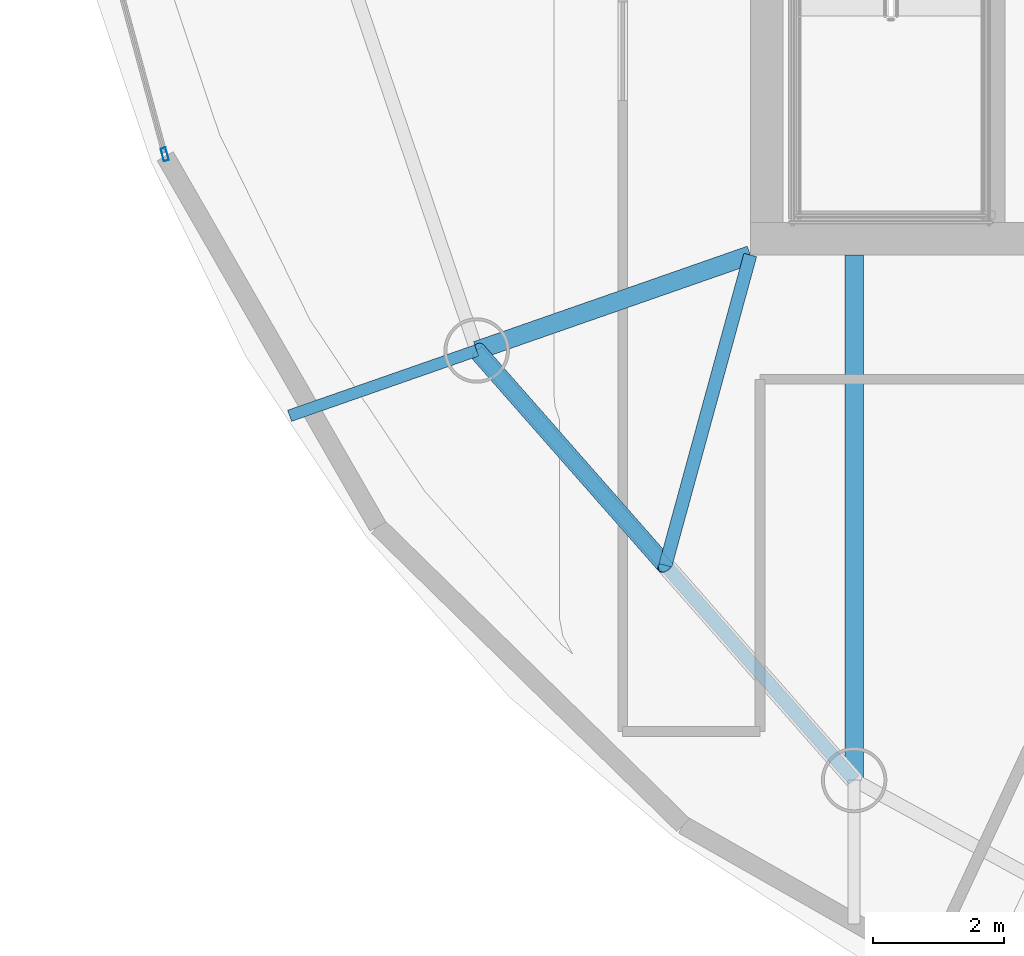
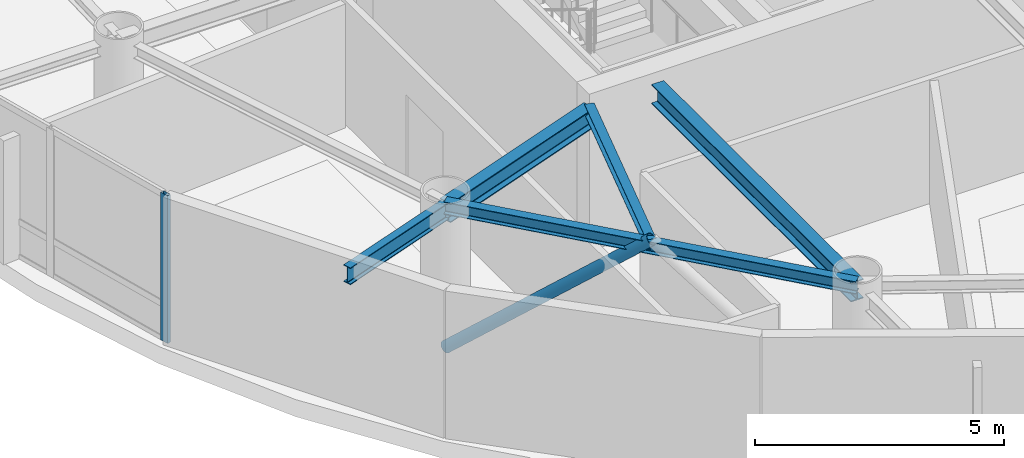
# One storey, part 2 of 20: 5 beams, 2 members, 1 element without a shape of its own.
"""IFC4 building model written with IfcOpenShell, lengths in metres."""

from ifc_helpers import new_model, si_unit, direction, frame, origin, origin_2d, place, context, subcontext, project, spatial, hollow_rectangle, hollow_circle, i_section, extrude, material, layer, layer_set, material_profile, profile_set, type_object, element, aggregate, save


model = new_model("IFC4")

# Units and contexts
model_context = context("Model", 3, precision=1e-05, world=origin(), true_north=direction((0.0, 1.0)))
body_context = subcontext(model_context, "Body", "Model", "MODEL_VIEW")
ifc_project = project(units=[si_unit("LENGTHUNIT", "METRE"), si_unit("AREAUNIT", "SQUARE_METRE"), si_unit("VOLUMEUNIT", "CUBIC_METRE"), si_unit("PLANEANGLEUNIT", "RADIAN"), si_unit("MASSUNIT", "GRAM", prefix="KILO")], contexts=[model_context])

# Site, building, storey
site_placement = place(None, origin())
site = spatial("IfcSite", under=ifc_project, at=site_placement, CompositionType="ELEMENT")
building_placement = place(site_placement, origin())
building = spatial("IfcBuilding", under=site, at=building_placement, Name="Bramvorn Convention Spire", CompositionType="ELEMENT")
storey_placement = place(building_placement, frame((0.0, 0.0, 242.050048828125)))
storey = spatial("IfcBuildingStorey", under=building, at=storey_placement, Name="L61", CompositionType="ELEMENT", Elevation=242.050048828125)

# Beams
ifc_material_1 = material(Name="Steel CSA G40.21 Grade 350 (350W)", Category="steel")
ifc_material_profile_1 = material_profile(ifc_material_1, i_section(OverallWidth=0.201904296875, OverallDepth=0.2470703125, WebThickness=0.00732421875, FlangeThickness=0.010986328125, FilletRadius=0.011962890625, at=origin_2d()))
ifc_profile_set_1 = profile_set([ifc_material_profile_1], Name="Steel CSA G40.21 Grade 350 (350W) - W250X49")
beam_type_1 = type_object("IfcBeamType", Name="BM-W250X49", PredefinedType="JOIST", material=ifc_profile_set_1)
beam_1_placement = place(storey_placement, frame((26.75, 18.550048828125, 3.50146484375), z_axis=(-0.26386506219, -0.96455960363, 0.0), x_axis=(0.96455960363, -0.26386506219, 0.0)))
element("IfcBeam", 1, at=beam_1_placement, inside=storey, type_object=beam_type_1, Name="L61 composite floor joist 13", PredefinedType="JOIST", context=body_context, shape_type="SweptSolid", body=[
    extrude(i_section(OverallWidth=0.201904296875, OverallDepth=0.2470703125, WebThickness=0.00732421875, FlangeThickness=0.010986328125, FilletRadius=0.011962890625, at=origin_2d()), origin(), (0.0, 0.0, 1.0), 4.917724609375),
])
ifc_material_profile_2 = material_profile(ifc_material_1, i_section(OverallWidth=0.202880859375, OverallDepth=0.302978515625, WebThickness=0.007568359375, FlangeThickness=0.01318359375, FilletRadius=0.013916015625, at=origin_2d()))
ifc_profile_set_2 = profile_set([ifc_material_profile_2], Name="Steel CSA G40.21 Grade 350 (350W) - W310X60")
beam_type_2 = type_object("IfcBeamType", Name="BM-W310X60", PredefinedType="JOIST", material=ifc_profile_set_2)
beam_2_placement = place(storey_placement, frame((22.5673828125, 17.090087890625, 3.473388671875), z_axis=(0.660073062339, -0.751201405999, 0.0), x_axis=(0.751201405999, 0.660073062339, 0.0)))
element("IfcBeam", 2, at=beam_2_placement, inside=storey, type_object=beam_type_2, Name="L61 mega-column ring beam 13", PredefinedType="JOIST", context=body_context, shape_type="SweptSolid", body=[
    extrude(i_section(OverallWidth=0.202880859375, OverallDepth=0.302978515625, WebThickness=0.007568359375, FlangeThickness=0.01318359375, FilletRadius=0.013916015625, at=origin_2d()), origin(), (0.0, 0.0, 1.0), 8.741943359375),
])
ifc_material_profile_3 = material_profile(ifc_material_1, i_section(OverallWidth=0.180908203125, OverallDepth=0.4169921875, WebThickness=0.010986328125, FlangeThickness=0.018310546875, FilletRadius=0.01611328125, at=origin_2d()))
ifc_profile_set_3 = profile_set([ifc_material_profile_3], Name="Steel CSA G40.21 Grade 350 (350W) - W410X85")
beam_type_3 = type_object("IfcBeamType", Name="BM-W410X85", PredefinedType="JOIST", material=ifc_profile_set_3)
beam_3_placement = place(storey_placement, frame((22.5673828125, 17.090087890625, 3.37646484375), z_axis=(-0.944114446996, -0.329617825629, 0.0), x_axis=(0.329617825629, -0.944114446996, 0.0)))
element("IfcBeam", 3, at=beam_3_placement, inside=storey, type_object=beam_type_3, Name="L61 Sky-Garden cantilever tip girder MC13", PredefinedType="JOIST", context=body_context, shape_type="SweptSolid", body=[
    extrude(i_section(OverallWidth=0.180908203125, OverallDepth=0.4169921875, WebThickness=0.010986328125, FlangeThickness=0.018310546875, FilletRadius=0.01611328125, at=origin_2d()), origin(), (0.0, 0.0, 1.0), 3.028564453125),
])
ifc_material_profile_4 = material_profile(ifc_material_1, i_section(OverallWidth=0.283935546875, OverallDepth=0.47607421875, WebThickness=0.014892578125, FlangeThickness=0.02392578125, FilletRadius=0.01806640625, at=origin_2d()))
ifc_profile_set_4 = profile_set([ifc_material_profile_4], Name="Steel CSA G40.21 Grade 350 (350W) - W460X158")
beam_type_4 = type_object("IfcBeamType", Name="BM-W460X158", PredefinedType="SPANDREL", material=ifc_profile_set_4)
beam_4_placement = place(storey_placement, frame((26.75, 18.550048828125, 3.346923828125), z_axis=(-0.944136391877, -0.329554962843, 0.0), x_axis=(0.329554962843, -0.944136391877, 0.0)))
element("IfcBeam", 4, at=beam_4_placement, inside=storey, type_object=beam_type_4, Name="L61 Sky-Garden back-span radial girder MC13", PredefinedType="SPANDREL", context=body_context, shape_type="SweptSolid", body=[
    extrude(i_section(OverallWidth=0.283935546875, OverallDepth=0.47607421875, WebThickness=0.014892578125, FlangeThickness=0.02392578125, FilletRadius=0.01806640625, at=origin_2d()), origin(), (0.0, 0.0, 1.0), 4.43017578125),
])
beam_5_placement = place(storey_placement, frame((28.337646484375, 18.550048828125, 3.346923828125), z_axis=(0.0, -1.0, 0.0), x_axis=(1.0, 0.0, 0.0)))
element("IfcBeam", 5, at=beam_5_placement, inside=storey, type_object=beam_type_4, Name="L61 Sky-Garden back-span radial girder MC14", PredefinedType="SPANDREL", context=body_context, shape_type="SweptSolid", body=[
    extrude(i_section(OverallWidth=0.283935546875, OverallDepth=0.47607421875, WebThickness=0.014892578125, FlangeThickness=0.02392578125, FilletRadius=0.01806640625, at=origin_2d()), origin(), (0.0, 0.0, 1.0), 8.02685546875),
])

# Curtain wall, member
ifc_material_2 = material(Name="Anodised Bronze Unitised Curtain Wall", Category="aluminium")
ifc_layer = layer(ifc_material_2, 0.179931640625)
ifc_layer_set = layer_set([ifc_layer], Name="Anodised Bronze Unitised Curtain Wall - CW-OFF-FRIT")
curtain_wall_type = type_object("IfcCurtainWallType", Name="CW-OFF-FRIT", PredefinedType="USERDEFINED", material=ifc_layer_set)
curtain_wall_placement = place(storey_placement, origin())
curtain_wall = element("IfcCurtainWall", 6, at=curtain_wall_placement, inside=storey, type_object=curtain_wall_type, Name="L61 fritted glass curtain wall 17", ObjectType="UNITISED CURTAIN WALL", PredefinedType="USERDEFINED")
ifc_material_3 = material(Name="Anodised Bronze Aluminium 6063-T6", Category="aluminium")
ifc_material_profile_5 = material_profile(ifc_material_3, hollow_rectangle(XDim=0.080078125, YDim=0.199951171875, WallThickness=0.00390625, InnerFilletRadius=0.0009765625, OuterFilletRadius=0.00390625, at=origin_2d()))
ifc_profile_set_5 = profile_set([ifc_material_profile_5], Name="Anodised Bronze Aluminium 6063-T6 - CWM80X200")
member_type_1 = type_object("IfcMemberType", Name="CW-MUL-180", PredefinedType="MULLION", material=ifc_profile_set_5)
member_1_placement = place(storey_placement, frame((17.799072265625, 20.08837890625, 0.0), z_axis=(0.0, 0.0, 1.0), x_axis=(-0.965282089931, -0.26120966073, 0.0)))
member_1 = element("IfcMember", 7, at=member_1_placement, type_object=member_type_1, Name="CW3 mullion 1", PredefinedType="MULLION", context=body_context, shape_type="SweptSolid", body=[
    extrude(hollow_rectangle(XDim=0.080078125, YDim=0.199951171875, WallThickness=0.00390625, InnerFilletRadius=0.0009765625, OuterFilletRadius=0.00390625, at=origin_2d()), origin(), (0.0, 0.0, 1.0), 3.625),
])
aggregate(curtain_wall, [member_1])

# Member
ifc_material_profile_6 = material_profile(ifc_material_1, hollow_circle(Radius=0.136474609375, WallThickness=0.0126953125, at=origin_2d()))
ifc_profile_set_6 = profile_set([ifc_material_profile_6], Name="Steel CSA G40.21 Grade 350 (350W) - CHS273X13")
member_type_2 = type_object("IfcMemberType", Name="MBR-CHS273X13", PredefinedType="BRACE", material=ifc_profile_set_6)
member_2_placement = place(storey_placement, frame((22.5673828125, 17.090087890625, 0.0), z_axis=(0.508061812102, -0.578228256829, 0.63837706576), x_axis=(0.751215254017, 0.660057302158, 0.0)))
element("IfcMember", 8, at=member_2_placement, inside=storey, type_object=member_type_2, Name="L61 perimeter Gothic lancet brace 13A", PredefinedType="BRACE", context=body_context, shape_type="SweptSolid", body=[
    extrude(hollow_circle(Radius=0.136474609375, WallThickness=0.0126953125, at=origin_2d()), origin(), (0.0, 0.0, 1.0), 5.678466796875),
])

save(model, "model.ifc")
